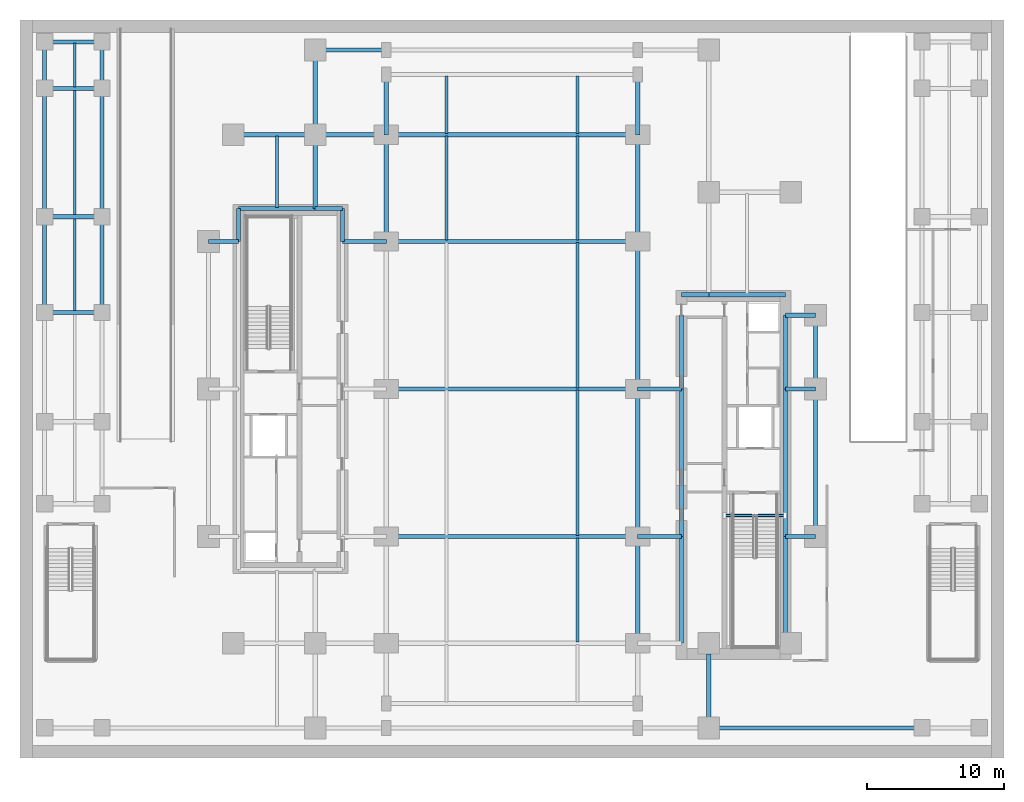
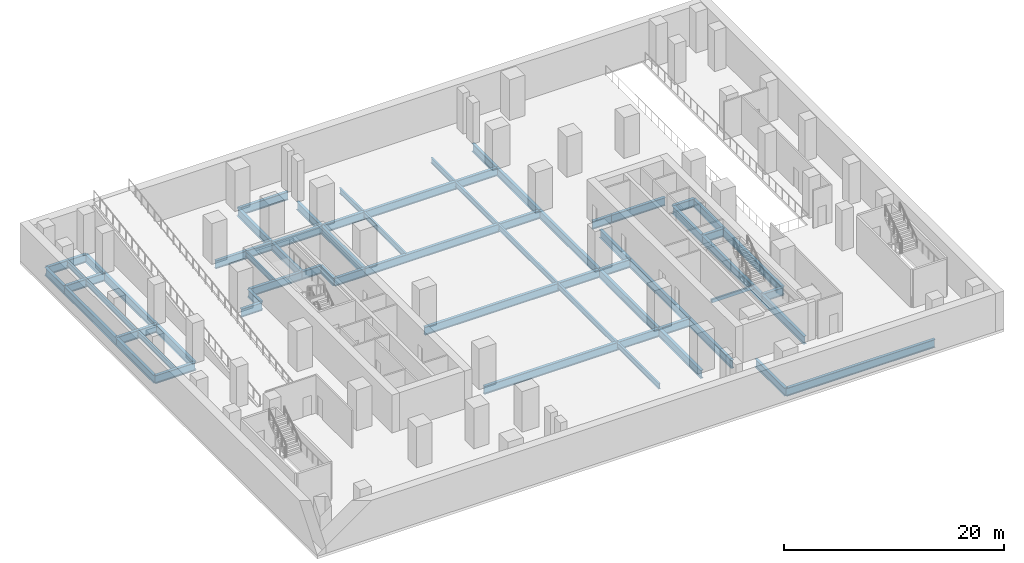
# One storey, part 2 of 14: 61 beams.
"""IFC4 building model written with IfcOpenShell, lengths in metres."""

from ifc_helpers import new_model, si_unit, direction, frame, origin, origin_2d, place, context, subcontext, project, spatial, hollow_rectangle, i_section, extrude, material, material_profile, profile_set, type_object, element, save


model = new_model("IFC4")

# Units and contexts
model_context = context("Model", 3, precision=1e-05, world=origin(), true_north=direction((0.0, 1.0)))
body_context = subcontext(model_context, "Body", "Model", "MODEL_VIEW")
ifc_project = project(units=[si_unit("LENGTHUNIT", "METRE"), si_unit("AREAUNIT", "SQUARE_METRE"), si_unit("VOLUMEUNIT", "CUBIC_METRE"), si_unit("PLANEANGLEUNIT", "RADIAN"), si_unit("MASSUNIT", "GRAM", prefix="KILO")], contexts=[model_context])

# Site, building, storey
site_placement = place(None, origin())
site = spatial("IfcSite", under=ifc_project, at=site_placement, CompositionType="ELEMENT")
building_placement = place(site_placement, origin())
building = spatial("IfcBuilding", under=site, at=building_placement, Name="Khairoan Windgate Tower", CompositionType="ELEMENT")
storey_placement = place(building_placement, frame((0.0, 0.0, -4.5)))
storey = spatial("IfcBuildingStorey", under=building, at=storey_placement, Name="B1", CompositionType="ELEMENT", Elevation=-4.5)

# Beams
ifc_material_1 = material(Name="Steel S355", Category="steel")
ifc_material_profile_1 = material_profile(ifc_material_1, i_section(OverallWidth=0.300048828125, OverallDepth=0.89990234375, WebThickness=0.01611328125, FlangeThickness=0.028076171875, FilletRadius=0.028076171875, at=origin_2d()))
ifc_profile_set_1 = profile_set([ifc_material_profile_1], Name="Steel S355")
beam_type_1 = type_object("IfcBeamType", Name="Beam B-G1 H900x300x16x28", PredefinedType="BEAM", material=ifc_profile_set_1)
beam_1_placement = place(storey_placement, frame((14.39990234375, -24.800048828125, -0.75), z_axis=(1.0, 0.0, 0.0), x_axis=(0.0, 1.0, 0.0)))
element("IfcBeam", 1, at=beam_1_placement, inside=storey, type_object=beam_type_1, Name="B1 E-W Primary Girder 06", PredefinedType="BEAM", context=body_context, shape_type="SweptSolid", body=[
    extrude(i_section(OverallWidth=0.300048828125, OverallDepth=0.89990234375, WebThickness=0.01611328125, FlangeThickness=0.028076171875, FilletRadius=0.028076171875, at=origin_2d()), origin(), (0.0, 0.0, 1.0), 15.60009765625),
])
beam_2_placement = place(storey_placement, frame((-9.199951171875, -10.800048828125, -0.75), z_axis=(1.0, 0.0, 0.0), x_axis=(0.0, 1.0, 0.0)))
element("IfcBeam", 2, at=beam_2_placement, inside=storey, type_object=beam_type_1, Name="B1 E-W Primary Girder 17", PredefinedType="BEAM", context=body_context, shape_type="SweptSolid", body=[
    extrude(i_section(OverallWidth=0.300048828125, OverallDepth=0.89990234375, WebThickness=0.01611328125, FlangeThickness=0.028076171875, FilletRadius=0.028076171875, at=origin_2d()), origin(), (0.0, 0.0, 1.0), 18.39990234375),
])
beam_3_placement = place(storey_placement, frame((9.199951171875, -10.800048828125, -0.75), z_axis=(1.0, 0.0, 0.0), x_axis=(0.0, 1.0, 0.0)))
element("IfcBeam", 3, at=beam_3_placement, inside=storey, type_object=beam_type_1, Name="B1 E-W Primary Girder 18", PredefinedType="BEAM", context=body_context, shape_type="SweptSolid", body=[
    extrude(i_section(OverallWidth=0.300048828125, OverallDepth=0.89990234375, WebThickness=0.01611328125, FlangeThickness=0.028076171875, FilletRadius=0.028076171875, at=origin_2d()), origin(), (0.0, 0.0, 1.0), 3.199951171875),
])
beam_4_placement = place(storey_placement, frame((20.0, -10.800048828125, -0.75), z_axis=(1.0, 0.0, 0.0), x_axis=(0.0, 1.0, 0.0)))
element("IfcBeam", 4, at=beam_4_placement, inside=storey, type_object=beam_type_1, Name="B1 E-W Primary Girder 19", PredefinedType="BEAM", context=body_context, shape_type="SweptSolid", body=[
    extrude(i_section(OverallWidth=0.300048828125, OverallDepth=0.89990234375, WebThickness=0.01611328125, FlangeThickness=0.028076171875, FilletRadius=0.028076171875, at=origin_2d()), origin(), (0.0, 0.0, 1.0), 2.199951171875),
])
beam_5_placement = place(storey_placement, frame((-9.199951171875, 0.0, -0.75), z_axis=(1.0, 0.0, 0.0), x_axis=(0.0, 1.0, 0.0)))
element("IfcBeam", 5, at=beam_5_placement, inside=storey, type_object=beam_type_1, Name="B1 E-W Primary Girder 26", PredefinedType="BEAM", context=body_context, shape_type="SweptSolid", body=[
    extrude(i_section(OverallWidth=0.300048828125, OverallDepth=0.89990234375, WebThickness=0.01611328125, FlangeThickness=0.028076171875, FilletRadius=0.028076171875, at=origin_2d()), origin(), (0.0, 0.0, 1.0), 18.39990234375),
])
beam_6_placement = place(storey_placement, frame((9.199951171875, 0.0, -0.75), z_axis=(1.0, 0.0, 0.0), x_axis=(0.0, 1.0, 0.0)))
element("IfcBeam", 6, at=beam_6_placement, inside=storey, type_object=beam_type_1, Name="B1 E-W Primary Girder 27", PredefinedType="BEAM", context=body_context, shape_type="SweptSolid", body=[
    extrude(i_section(OverallWidth=0.300048828125, OverallDepth=0.89990234375, WebThickness=0.01611328125, FlangeThickness=0.028076171875, FilletRadius=0.028076171875, at=origin_2d()), origin(), (0.0, 0.0, 1.0), 3.199951171875),
])
for number, where, z_axis, x_axis, name in (
    (7, (20.0, 0.0, -0.75), (1.0, 0.0, 0.0), (0.0, 1.0, 0.0), "B1 E-W Primary Girder 28"),
    (8, (20.0, 5.39990234375, -0.75), (1.0, 0.0, 0.0), (0.0, 1.0, 0.0), "B1 E-W Primary Girder 29"),
):
    element("IfcBeam", number, at=place(storey_placement, frame(where, z_axis=z_axis, x_axis=x_axis)), inside=storey, type_object=beam_type_1, Name=name, PredefinedType="BEAM", context=body_context, shape_type="SweptSolid", body=[
        extrude(i_section(OverallWidth=0.300048828125, OverallDepth=0.89990234375, WebThickness=0.01611328125, FlangeThickness=0.028076171875, FilletRadius=0.028076171875, at=origin_2d()), origin(), (0.0, 0.0, 1.0), 2.199951171875),
    ])
beam_7_placement = place(storey_placement, frame((-34.199951171875, 5.60009765625, -0.75), z_axis=(1.0, 0.0, 0.0), x_axis=(0.0, 1.0, 0.0)))
element("IfcBeam", 9, at=beam_7_placement, inside=storey, type_object=beam_type_1, Name="B1 E-W Primary Girder 30", PredefinedType="BEAM", context=body_context, shape_type="SweptSolid", body=[
    extrude(i_section(OverallWidth=0.300048828125, OverallDepth=0.89990234375, WebThickness=0.01611328125, FlangeThickness=0.028076171875, FilletRadius=0.028076171875, at=origin_2d()), origin(), (0.0, 0.0, 1.0), 4.199951171875),
])
beam_8_placement = place(storey_placement, frame((12.39990234375, 6.89990234375, -0.75), z_axis=(1.0, 0.0, 0.0), x_axis=(0.0, 1.0, 0.0)))
element("IfcBeam", 10, at=beam_8_placement, inside=storey, type_object=beam_type_1, Name="B1 E-W Primary Girder 32", PredefinedType="BEAM", context=body_context, shape_type="SweptSolid", body=[
    extrude(i_section(OverallWidth=0.300048828125, OverallDepth=0.89990234375, WebThickness=0.01611328125, FlangeThickness=0.028076171875, FilletRadius=0.028076171875, at=origin_2d()), origin(), (0.0, 0.0, 1.0), 2.0),
])
beam_9_placement = place(storey_placement, frame((14.39990234375, 6.89990234375, -0.75), z_axis=(1.0, 0.0, 0.0), x_axis=(0.0, 1.0, 0.0)))
element("IfcBeam", 11, at=beam_9_placement, inside=storey, type_object=beam_type_1, Name="B1 E-W Primary Girder 33", PredefinedType="BEAM", context=body_context, shape_type="SweptSolid", body=[
    extrude(i_section(OverallWidth=0.300048828125, OverallDepth=0.89990234375, WebThickness=0.01611328125, FlangeThickness=0.028076171875, FilletRadius=0.028076171875, at=origin_2d()), origin(), (0.0, 0.0, 1.0), 5.60009765625),
])
beam_10_placement = place(storey_placement, frame((-22.199951171875, 10.800048828125, -0.75), z_axis=(1.0, 0.0, 0.0), x_axis=(0.0, 1.0, 0.0)))
element("IfcBeam", 12, at=beam_10_placement, inside=storey, type_object=beam_type_1, Name="B1 E-W Primary Girder 34", PredefinedType="BEAM", context=body_context, shape_type="SweptSolid", body=[
    extrude(i_section(OverallWidth=0.300048828125, OverallDepth=0.89990234375, WebThickness=0.01611328125, FlangeThickness=0.028076171875, FilletRadius=0.028076171875, at=origin_2d()), origin(), (0.0, 0.0, 1.0), 2.199951171875),
])
beam_11_placement = place(storey_placement, frame((-12.39990234375, 10.800048828125, -0.75), z_axis=(1.0, 0.0, 0.0), x_axis=(0.0, 1.0, 0.0)))
element("IfcBeam", 13, at=beam_11_placement, inside=storey, type_object=beam_type_1, Name="B1 E-W Primary Girder 35", PredefinedType="BEAM", context=body_context, shape_type="SweptSolid", body=[
    extrude(i_section(OverallWidth=0.300048828125, OverallDepth=0.89990234375, WebThickness=0.01611328125, FlangeThickness=0.028076171875, FilletRadius=0.028076171875, at=origin_2d()), origin(), (0.0, 0.0, 1.0), 3.199951171875),
])
beam_12_placement = place(storey_placement, frame((-9.199951171875, 10.800048828125, -0.75), z_axis=(1.0, 0.0, 0.0), x_axis=(0.0, 1.0, 0.0)))
element("IfcBeam", 14, at=beam_12_placement, inside=storey, type_object=beam_type_1, Name="B1 E-W Primary Girder 36", PredefinedType="BEAM", context=body_context, shape_type="SweptSolid", body=[
    extrude(i_section(OverallWidth=0.300048828125, OverallDepth=0.89990234375, WebThickness=0.01611328125, FlangeThickness=0.028076171875, FilletRadius=0.028076171875, at=origin_2d()), origin(), (0.0, 0.0, 1.0), 18.39990234375),
])
beam_13_placement = place(storey_placement, frame((-34.199951171875, 12.60009765625, -0.75), z_axis=(1.0, 0.0, 0.0), x_axis=(0.0, 1.0, 0.0)))
element("IfcBeam", 15, at=beam_13_placement, inside=storey, type_object=beam_type_1, Name="B1 E-W Primary Girder 37", PredefinedType="BEAM", context=body_context, shape_type="SweptSolid", body=[
    extrude(i_section(OverallWidth=0.300048828125, OverallDepth=0.89990234375, WebThickness=0.01611328125, FlangeThickness=0.028076171875, FilletRadius=0.028076171875, at=origin_2d()), origin(), (0.0, 0.0, 1.0), 4.199951171875),
])
beam_14_placement = place(storey_placement, frame((-20.0, 13.199951171875, -0.75), z_axis=(1.0, 0.0, 0.0), x_axis=(0.0, 1.0, 0.0)))
element("IfcBeam", 16, at=beam_14_placement, inside=storey, type_object=beam_type_1, Name="B1 E-W Primary Girder 39", PredefinedType="BEAM", context=body_context, shape_type="SweptSolid", body=[
    extrude(i_section(OverallWidth=0.300048828125, OverallDepth=0.89990234375, WebThickness=0.01611328125, FlangeThickness=0.028076171875, FilletRadius=0.028076171875, at=origin_2d()), origin(), (0.0, 0.0, 1.0), 5.60009765625),
])
beam_15_placement = place(storey_placement, frame((-14.39990234375, 13.199951171875, -0.75), z_axis=(1.0, 0.0, 0.0), x_axis=(0.0, 1.0, 0.0)))
element("IfcBeam", 17, at=beam_15_placement, inside=storey, type_object=beam_type_1, Name="B1 E-W Primary Girder 40", PredefinedType="BEAM", context=body_context, shape_type="SweptSolid", body=[
    extrude(i_section(OverallWidth=0.300048828125, OverallDepth=0.89990234375, WebThickness=0.01611328125, FlangeThickness=0.028076171875, FilletRadius=0.028076171875, at=origin_2d()), origin(), (0.0, 0.0, 1.0), 2.0),
])
beam_16_placement = place(storey_placement, frame((-20.39990234375, 18.60009765625, -0.75), z_axis=(1.0, 0.0, 0.0), x_axis=(0.0, 1.0, 0.0)))
element("IfcBeam", 18, at=beam_16_placement, inside=storey, type_object=beam_type_1, Name="B1 E-W Primary Girder 42", PredefinedType="BEAM", context=body_context, shape_type="SweptSolid", body=[
    extrude(i_section(OverallWidth=0.300048828125, OverallDepth=0.89990234375, WebThickness=0.01611328125, FlangeThickness=0.028076171875, FilletRadius=0.028076171875, at=origin_2d()), origin(), (0.0, 0.0, 1.0), 6.0),
])
beam_17_placement = place(storey_placement, frame((-14.39990234375, 18.60009765625, -0.75), z_axis=(1.0, 0.0, 0.0), x_axis=(0.0, 1.0, 0.0)))
element("IfcBeam", 19, at=beam_17_placement, inside=storey, type_object=beam_type_1, Name="B1 E-W Primary Girder 43", PredefinedType="BEAM", context=body_context, shape_type="SweptSolid", body=[
    extrude(i_section(OverallWidth=0.300048828125, OverallDepth=0.89990234375, WebThickness=0.01611328125, FlangeThickness=0.028076171875, FilletRadius=0.028076171875, at=origin_2d()), origin(), (0.0, 0.0, 1.0), 5.199951171875),
])
beam_18_placement = place(storey_placement, frame((-9.199951171875, 18.60009765625, -0.75), z_axis=(1.0, 0.0, 0.0), x_axis=(0.0, 1.0, 0.0)))
element("IfcBeam", 20, at=beam_18_placement, inside=storey, type_object=beam_type_1, Name="B1 E-W Primary Girder 44", PredefinedType="BEAM", context=body_context, shape_type="SweptSolid", body=[
    extrude(i_section(OverallWidth=0.300048828125, OverallDepth=0.89990234375, WebThickness=0.01611328125, FlangeThickness=0.028076171875, FilletRadius=0.028076171875, at=origin_2d()), origin(), (0.0, 0.0, 1.0), 18.39990234375),
])
beam_19_placement = place(storey_placement, frame((-34.199951171875, 22.0, -0.75), z_axis=(1.0, 0.0, 0.0), x_axis=(0.0, 1.0, 0.0)))
element("IfcBeam", 21, at=beam_19_placement, inside=storey, type_object=beam_type_1, Name="B1 E-W Primary Girder 45", PredefinedType="BEAM", context=body_context, shape_type="SweptSolid", body=[
    extrude(i_section(OverallWidth=0.300048828125, OverallDepth=0.89990234375, WebThickness=0.01611328125, FlangeThickness=0.028076171875, FilletRadius=0.028076171875, at=origin_2d()), origin(), (0.0, 0.0, 1.0), 4.199951171875),
])
beam_20_placement = place(storey_placement, frame((-14.39990234375, 24.800048828125, -0.75), z_axis=(1.0, 0.0, 0.0), x_axis=(0.0, 1.0, 0.0)))
element("IfcBeam", 22, at=beam_20_placement, inside=storey, type_object=beam_type_1, Name="B1 E-W Primary Girder 48", PredefinedType="BEAM", context=body_context, shape_type="SweptSolid", body=[
    extrude(i_section(OverallWidth=0.300048828125, OverallDepth=0.89990234375, WebThickness=0.01611328125, FlangeThickness=0.028076171875, FilletRadius=0.028076171875, at=origin_2d()), origin(), (0.0, 0.0, 1.0), 5.199951171875),
])
beam_21_placement = place(storey_placement, frame((-34.199951171875, 25.39990234375, -0.75), z_axis=(1.0, 0.0, 0.0), x_axis=(0.0, 1.0, 0.0)))
element("IfcBeam", 23, at=beam_21_placement, inside=storey, type_object=beam_type_1, Name="B1 E-W Primary Girder 51", PredefinedType="BEAM", context=body_context, shape_type="SweptSolid", body=[
    extrude(i_section(OverallWidth=0.300048828125, OverallDepth=0.89990234375, WebThickness=0.01611328125, FlangeThickness=0.028076171875, FilletRadius=0.028076171875, at=origin_2d()), origin(), (0.0, 0.0, 1.0), 4.199951171875),
])
beam_22_placement = place(storey_placement, frame((-34.199951171875, 5.60009765625, -0.75), z_axis=(0.0, 1.0, 0.0), x_axis=(-1.0, 0.0, 0.0)))
element("IfcBeam", 24, at=beam_22_placement, inside=storey, type_object=beam_type_1, Name="B1 N-S Primary Beam 55", PredefinedType="BEAM", context=body_context, shape_type="SweptSolid", body=[
    extrude(i_section(OverallWidth=0.300048828125, OverallDepth=0.89990234375, WebThickness=0.01611328125, FlangeThickness=0.028076171875, FilletRadius=0.028076171875, at=origin_2d()), origin(), (0.0, 0.0, 1.0), 7.0),
])
beam_23_placement = place(storey_placement, frame((-34.199951171875, 12.60009765625, -0.75), z_axis=(0.0, 1.0, 0.0), x_axis=(-1.0, 0.0, 0.0)))
element("IfcBeam", 25, at=beam_23_placement, inside=storey, type_object=beam_type_1, Name="B1 N-S Primary Beam 56", PredefinedType="BEAM", context=body_context, shape_type="SweptSolid", body=[
    extrude(i_section(OverallWidth=0.300048828125, OverallDepth=0.89990234375, WebThickness=0.01611328125, FlangeThickness=0.028076171875, FilletRadius=0.028076171875, at=origin_2d()), origin(), (0.0, 0.0, 1.0), 9.39990234375),
])
beam_24_placement = place(storey_placement, frame((-34.199951171875, 22.0, -0.75), z_axis=(0.0, 1.0, 0.0), x_axis=(-1.0, 0.0, 0.0)))
element("IfcBeam", 26, at=beam_24_placement, inside=storey, type_object=beam_type_1, Name="B1 N-S Primary Beam 57", PredefinedType="BEAM", context=body_context, shape_type="SweptSolid", body=[
    extrude(i_section(OverallWidth=0.300048828125, OverallDepth=0.89990234375, WebThickness=0.01611328125, FlangeThickness=0.028076171875, FilletRadius=0.028076171875, at=origin_2d()), origin(), (0.0, 0.0, 1.0), 3.39990234375),
])
beam_25_placement = place(storey_placement, frame((-30.0, 5.60009765625, -0.75), z_axis=(0.0, 1.0, 0.0), x_axis=(-1.0, 0.0, 0.0)))
element("IfcBeam", 27, at=beam_25_placement, inside=storey, type_object=beam_type_1, Name="B1 N-S Primary Beam 60", PredefinedType="BEAM", context=body_context, shape_type="SweptSolid", body=[
    extrude(i_section(OverallWidth=0.300048828125, OverallDepth=0.89990234375, WebThickness=0.01611328125, FlangeThickness=0.028076171875, FilletRadius=0.028076171875, at=origin_2d()), origin(), (0.0, 0.0, 1.0), 7.0),
])
beam_26_placement = place(storey_placement, frame((-30.0, 12.60009765625, -0.75), z_axis=(0.0, 1.0, 0.0), x_axis=(-1.0, 0.0, 0.0)))
element("IfcBeam", 28, at=beam_26_placement, inside=storey, type_object=beam_type_1, Name="B1 N-S Primary Beam 61", PredefinedType="BEAM", context=body_context, shape_type="SweptSolid", body=[
    extrude(i_section(OverallWidth=0.300048828125, OverallDepth=0.89990234375, WebThickness=0.01611328125, FlangeThickness=0.028076171875, FilletRadius=0.028076171875, at=origin_2d()), origin(), (0.0, 0.0, 1.0), 9.39990234375),
])
beam_27_placement = place(storey_placement, frame((-30.0, 22.0, -0.75), z_axis=(0.0, 1.0, 0.0), x_axis=(-1.0, 0.0, 0.0)))
element("IfcBeam", 29, at=beam_27_placement, inside=storey, type_object=beam_type_1, Name="B1 N-S Primary Beam 62", PredefinedType="BEAM", context=body_context, shape_type="SweptSolid", body=[
    extrude(i_section(OverallWidth=0.300048828125, OverallDepth=0.89990234375, WebThickness=0.01611328125, FlangeThickness=0.028076171875, FilletRadius=0.028076171875, at=origin_2d()), origin(), (0.0, 0.0, 1.0), 3.39990234375),
])
beam_28_placement = place(storey_placement, frame((-20.0, 10.800048828125, -0.75), z_axis=(0.0, 1.0, 0.0), x_axis=(-1.0, 0.0, 0.0)))
element("IfcBeam", 30, at=beam_28_placement, inside=storey, type_object=beam_type_1, Name="B1 N-S Primary Beam 68", PredefinedType="BEAM", context=body_context, shape_type="SweptSolid", body=[
    extrude(i_section(OverallWidth=0.300048828125, OverallDepth=0.89990234375, WebThickness=0.01611328125, FlangeThickness=0.028076171875, FilletRadius=0.028076171875, at=origin_2d()), origin(), (0.0, 0.0, 1.0), 2.39990234375),
])
beam_29_placement = place(storey_placement, frame((-14.39990234375, 13.199951171875, -0.75), z_axis=(0.0, 1.0, 0.0), x_axis=(-1.0, 0.0, 0.0)))
element("IfcBeam", 31, at=beam_29_placement, inside=storey, type_object=beam_type_1, Name="B1 N-S Primary Beam 71", PredefinedType="BEAM", context=body_context, shape_type="SweptSolid", body=[
    extrude(i_section(OverallWidth=0.300048828125, OverallDepth=0.89990234375, WebThickness=0.01611328125, FlangeThickness=0.028076171875, FilletRadius=0.028076171875, at=origin_2d()), origin(), (0.0, 0.0, 1.0), 5.400146484375),
])
beam_30_placement = place(storey_placement, frame((-14.39990234375, 18.60009765625, -0.75), z_axis=(0.0, 1.0, 0.0), x_axis=(-1.0, 0.0, 0.0)))
element("IfcBeam", 32, at=beam_30_placement, inside=storey, type_object=beam_type_1, Name="B1 N-S Primary Beam 72", PredefinedType="BEAM", context=body_context, shape_type="SweptSolid", body=[
    extrude(i_section(OverallWidth=0.300048828125, OverallDepth=0.89990234375, WebThickness=0.01611328125, FlangeThickness=0.028076171875, FilletRadius=0.028076171875, at=origin_2d()), origin(), (0.0, 0.0, 1.0), 6.199951171875),
])
beam_31_placement = place(storey_placement, frame((-12.39990234375, 10.800048828125, -0.75), z_axis=(0.0, 1.0, 0.0), x_axis=(-1.0, 0.0, 0.0)))
element("IfcBeam", 33, at=beam_31_placement, inside=storey, type_object=beam_type_1, Name="B1 N-S Primary Beam 76", PredefinedType="BEAM", context=body_context, shape_type="SweptSolid", body=[
    extrude(i_section(OverallWidth=0.300048828125, OverallDepth=0.89990234375, WebThickness=0.01611328125, FlangeThickness=0.028076171875, FilletRadius=0.028076171875, at=origin_2d()), origin(), (0.0, 0.0, 1.0), 2.39990234375),
])
beam_32_placement = place(storey_placement, frame((-9.199951171875, 10.800048828125, -0.75), z_axis=(0.0, 1.0, 0.0), x_axis=(-1.0, 0.0, 0.0)))
element("IfcBeam", 34, at=beam_32_placement, inside=storey, type_object=beam_type_1, Name="B1 N-S Primary Beam 81", PredefinedType="BEAM", context=body_context, shape_type="SweptSolid", body=[
    extrude(i_section(OverallWidth=0.300048828125, OverallDepth=0.89990234375, WebThickness=0.01611328125, FlangeThickness=0.028076171875, FilletRadius=0.028076171875, at=origin_2d()), origin(), (0.0, 0.0, 1.0), 7.800048828125),
])
beam_33_placement = place(storey_placement, frame((-9.199951171875, 18.60009765625, -0.75), z_axis=(0.0, 1.0, 0.0), x_axis=(-1.0, 0.0, 0.0)))
element("IfcBeam", 35, at=beam_33_placement, inside=storey, type_object=beam_type_1, Name="B1 N-S Primary Beam 82", PredefinedType="BEAM", context=body_context, shape_type="SweptSolid", body=[
    extrude(i_section(OverallWidth=0.300048828125, OverallDepth=0.89990234375, WebThickness=0.01611328125, FlangeThickness=0.028076171875, FilletRadius=0.028076171875, at=origin_2d()), origin(), (0.0, 0.0, 1.0), 4.39990234375),
])
beam_34_placement = place(storey_placement, frame((9.199951171875, -18.60009765625, -0.75), z_axis=(0.0, 1.0, 0.0), x_axis=(-1.0, 0.0, 0.0)))
element("IfcBeam", 36, at=beam_34_placement, inside=storey, type_object=beam_type_1, Name="B1 N-S Primary Beam 84", PredefinedType="BEAM", context=body_context, shape_type="SweptSolid", body=[
    extrude(i_section(OverallWidth=0.300048828125, OverallDepth=0.89990234375, WebThickness=0.01611328125, FlangeThickness=0.028076171875, FilletRadius=0.028076171875, at=origin_2d()), origin(), (0.0, 0.0, 1.0), 7.800048828125),
])
for number, where, z_axis, x_axis, name in (
    (37, (9.199951171875, -10.800048828125, -0.75), (0.0, 1.0, 0.0), (-1.0, 0.0, 0.0), "B1 N-S Primary Beam 85"),
    (38, (9.199951171875, 0.0, -0.75), (0.0, 1.0, 0.0), (-1.0, 0.0, 0.0), "B1 N-S Primary Beam 86"),
):
    element("IfcBeam", number, at=place(storey_placement, frame(where, z_axis=z_axis, x_axis=x_axis)), inside=storey, type_object=beam_type_1, Name=name, PredefinedType="BEAM", context=body_context, shape_type="SweptSolid", body=[
        extrude(i_section(OverallWidth=0.300048828125, OverallDepth=0.89990234375, WebThickness=0.01611328125, FlangeThickness=0.028076171875, FilletRadius=0.028076171875, at=origin_2d()), origin(), (0.0, 0.0, 1.0), 10.800048828125),
    ])
beam_35_placement = place(storey_placement, frame((9.199951171875, 10.800048828125, -0.75), z_axis=(0.0, 1.0, 0.0), x_axis=(-1.0, 0.0, 0.0)))
element("IfcBeam", 39, at=beam_35_placement, inside=storey, type_object=beam_type_1, Name="B1 N-S Primary Beam 87", PredefinedType="BEAM", context=body_context, shape_type="SweptSolid", body=[
    extrude(i_section(OverallWidth=0.300048828125, OverallDepth=0.89990234375, WebThickness=0.01611328125, FlangeThickness=0.028076171875, FilletRadius=0.028076171875, at=origin_2d()), origin(), (0.0, 0.0, 1.0), 7.800048828125),
])
beam_36_placement = place(storey_placement, frame((9.199951171875, 18.60009765625, -0.75), z_axis=(0.0, 1.0, 0.0), x_axis=(-1.0, 0.0, 0.0)))
element("IfcBeam", 40, at=beam_36_placement, inside=storey, type_object=beam_type_1, Name="B1 N-S Primary Beam 88", PredefinedType="BEAM", context=body_context, shape_type="SweptSolid", body=[
    extrude(i_section(OverallWidth=0.300048828125, OverallDepth=0.89990234375, WebThickness=0.01611328125, FlangeThickness=0.028076171875, FilletRadius=0.028076171875, at=origin_2d()), origin(), (0.0, 0.0, 1.0), 4.39990234375),
])
beam_37_placement = place(storey_placement, frame((12.39990234375, -18.60009765625, -0.75), z_axis=(0.0, 1.0, 0.0), x_axis=(-1.0, 0.0, 0.0)))
element("IfcBeam", 41, at=beam_37_placement, inside=storey, type_object=beam_type_1, Name="B1 N-S Primary Beam 89", PredefinedType="BEAM", context=body_context, shape_type="SweptSolid", body=[
    extrude(i_section(OverallWidth=0.300048828125, OverallDepth=0.89990234375, WebThickness=0.01611328125, FlangeThickness=0.028076171875, FilletRadius=0.028076171875, at=origin_2d()), origin(), (0.0, 0.0, 1.0), 7.800048828125),
])
beam_38_placement = place(storey_placement, frame((12.39990234375, -10.800048828125, -0.75), z_axis=(0.0, 1.0, 0.0), x_axis=(-1.0, 0.0, 0.0)))
element("IfcBeam", 42, at=beam_38_placement, inside=storey, type_object=beam_type_1, Name="B1 N-S Primary Beam 90", PredefinedType="BEAM", context=body_context, shape_type="SweptSolid", body=[
    extrude(i_section(OverallWidth=0.300048828125, OverallDepth=0.89990234375, WebThickness=0.01611328125, FlangeThickness=0.028076171875, FilletRadius=0.028076171875, at=origin_2d()), origin(), (0.0, 0.0, 1.0), 10.800048828125),
])
beam_39_placement = place(storey_placement, frame((12.39990234375, 0.0, -0.75), z_axis=(0.0, 1.0, 0.0), x_axis=(-1.0, 0.0, 0.0)))
element("IfcBeam", 43, at=beam_39_placement, inside=storey, type_object=beam_type_1, Name="B1 N-S Primary Beam 91", PredefinedType="BEAM", context=body_context, shape_type="SweptSolid", body=[
    extrude(i_section(OverallWidth=0.300048828125, OverallDepth=0.89990234375, WebThickness=0.01611328125, FlangeThickness=0.028076171875, FilletRadius=0.028076171875, at=origin_2d()), origin(), (0.0, 0.0, 1.0), 5.39990234375),
])
beam_40_placement = place(storey_placement, frame((14.39990234375, -24.800048828125, -0.75), z_axis=(0.0, 1.0, 0.0), x_axis=(-1.0, 0.0, 0.0)))
element("IfcBeam", 44, at=beam_40_placement, inside=storey, type_object=beam_type_1, Name="B1 N-S Primary Beam 92", PredefinedType="BEAM", context=body_context, shape_type="SweptSolid", body=[
    extrude(i_section(OverallWidth=0.300048828125, OverallDepth=0.89990234375, WebThickness=0.01611328125, FlangeThickness=0.028076171875, FilletRadius=0.028076171875, at=origin_2d()), origin(), (0.0, 0.0, 1.0), 5.400146484375),
])
beam_41_placement = place(storey_placement, frame((20.0, -18.60009765625, -0.75), z_axis=(0.0, 1.0, 0.0), x_axis=(-1.0, 0.0, 0.0)))
element("IfcBeam", 45, at=beam_41_placement, inside=storey, type_object=beam_type_1, Name="B1 N-S Primary Beam 95", PredefinedType="BEAM", context=body_context, shape_type="SweptSolid", body=[
    extrude(i_section(OverallWidth=0.300048828125, OverallDepth=0.89990234375, WebThickness=0.01611328125, FlangeThickness=0.028076171875, FilletRadius=0.028076171875, at=origin_2d()), origin(), (0.0, 0.0, 1.0), 7.800048828125),
])
beam_42_placement = place(storey_placement, frame((20.0, -10.800048828125, -0.75), z_axis=(0.0, 1.0, 0.0), x_axis=(-1.0, 0.0, 0.0)))
element("IfcBeam", 46, at=beam_42_placement, inside=storey, type_object=beam_type_1, Name="B1 N-S Primary Beam 96", PredefinedType="BEAM", context=body_context, shape_type="SweptSolid", body=[
    extrude(i_section(OverallWidth=0.300048828125, OverallDepth=0.89990234375, WebThickness=0.01611328125, FlangeThickness=0.028076171875, FilletRadius=0.028076171875, at=origin_2d()), origin(), (0.0, 0.0, 1.0), 10.800048828125),
])
beam_43_placement = place(storey_placement, frame((20.0, 0.0, -0.75), z_axis=(0.0, 1.0, 0.0), x_axis=(-1.0, 0.0, 0.0)))
element("IfcBeam", 47, at=beam_43_placement, inside=storey, type_object=beam_type_1, Name="B1 N-S Primary Beam 97", PredefinedType="BEAM", context=body_context, shape_type="SweptSolid", body=[
    extrude(i_section(OverallWidth=0.300048828125, OverallDepth=0.89990234375, WebThickness=0.01611328125, FlangeThickness=0.028076171875, FilletRadius=0.028076171875, at=origin_2d()), origin(), (0.0, 0.0, 1.0), 5.39990234375),
])
beam_44_placement = place(storey_placement, frame((22.199951171875, -10.800048828125, -0.75), z_axis=(0.0, 1.0, 0.0), x_axis=(-1.0, 0.0, 0.0)))
element("IfcBeam", 48, at=beam_44_placement, inside=storey, type_object=beam_type_1, Name="B1 N-S Primary Beam 98", PredefinedType="BEAM", context=body_context, shape_type="SweptSolid", body=[
    extrude(i_section(OverallWidth=0.300048828125, OverallDepth=0.89990234375, WebThickness=0.01611328125, FlangeThickness=0.028076171875, FilletRadius=0.028076171875, at=origin_2d()), origin(), (0.0, 0.0, 1.0), 10.800048828125),
])
beam_45_placement = place(storey_placement, frame((22.199951171875, 0.0, -0.75), z_axis=(0.0, 1.0, 0.0), x_axis=(-1.0, 0.0, 0.0)))
element("IfcBeam", 49, at=beam_45_placement, inside=storey, type_object=beam_type_1, Name="B1 N-S Primary Beam 99", PredefinedType="BEAM", context=body_context, shape_type="SweptSolid", body=[
    extrude(i_section(OverallWidth=0.300048828125, OverallDepth=0.89990234375, WebThickness=0.01611328125, FlangeThickness=0.028076171875, FilletRadius=0.028076171875, at=origin_2d()), origin(), (0.0, 0.0, 1.0), 5.39990234375),
])
ifc_material_2 = material(Name="Steel S355", Category="steel")
ifc_material_profile_2 = material_profile(ifc_material_2, i_section(OverallWidth=0.199951171875, OverallDepth=0.60009765625, WebThickness=0.010986328125, FlangeThickness=0.01708984375, FilletRadius=0.02197265625, at=origin_2d()))
ifc_profile_set_2 = profile_set([ifc_material_profile_2], Name="Steel S355")
beam_type_2 = type_object("IfcBeamType", Name="Beam J-S1 H600x200x11x17", PredefinedType="JOIST", material=ifc_profile_set_2)
beam_46_placement = place(storey_placement, frame((-32.0, 5.68994140625, -0.60009765625), z_axis=(0.0, 1.0, 0.0), x_axis=(-1.0, 0.0, 0.0)))
element("IfcBeam", 50, at=beam_46_placement, inside=storey, type_object=beam_type_2, Name="B1 Secondary Floor Joist 03", PredefinedType="JOIST", context=body_context, shape_type="SweptSolid", body=[
    extrude(i_section(OverallWidth=0.199951171875, OverallDepth=0.60009765625, WebThickness=0.010986328125, FlangeThickness=0.01708984375, FilletRadius=0.02197265625, at=origin_2d()), origin(), (0.0, 0.0, 1.0), 6.820068359375),
])
beam_47_placement = place(storey_placement, frame((-32.0, 12.68994140625, -0.60009765625), z_axis=(0.0, 1.0, 0.0), x_axis=(-1.0, 0.0, 0.0)))
element("IfcBeam", 51, at=beam_47_placement, inside=storey, type_object=beam_type_2, Name="B1 Secondary Floor Joist 04", PredefinedType="JOIST", context=body_context, shape_type="SweptSolid", body=[
    extrude(i_section(OverallWidth=0.199951171875, OverallDepth=0.60009765625, WebThickness=0.010986328125, FlangeThickness=0.01708984375, FilletRadius=0.02197265625, at=origin_2d()), origin(), (0.0, 0.0, 1.0), 9.219970703125),
])
beam_48_placement = place(storey_placement, frame((-32.0, 22.090087890625, -0.60009765625), z_axis=(0.0, 1.0, 0.0), x_axis=(-1.0, 0.0, 0.0)))
element("IfcBeam", 52, at=beam_48_placement, inside=storey, type_object=beam_type_2, Name="B1 Secondary Floor Joist 05", PredefinedType="JOIST", context=body_context, shape_type="SweptSolid", body=[
    extrude(i_section(OverallWidth=0.199951171875, OverallDepth=0.60009765625, WebThickness=0.010986328125, FlangeThickness=0.01708984375, FilletRadius=0.02197265625, at=origin_2d()), origin(), (0.0, 0.0, 1.0), 3.219970703125),
])
beam_49_placement = place(storey_placement, frame((-17.199951171875, 13.2900390625, -0.60009765625), z_axis=(0.0, 1.0, 0.0), x_axis=(-1.0, 0.0, 0.0)))
element("IfcBeam", 53, at=beam_49_placement, inside=storey, type_object=beam_type_2, Name="B1 Secondary Floor Joist 08", PredefinedType="JOIST", context=body_context, shape_type="SweptSolid", body=[
    extrude(i_section(OverallWidth=0.199951171875, OverallDepth=0.60009765625, WebThickness=0.010986328125, FlangeThickness=0.01708984375, FilletRadius=0.02197265625, at=origin_2d()), origin(), (0.0, 0.0, 1.0), 5.219970703125),
])
beam_50_placement = place(storey_placement, frame((-4.800048828125, 10.889892578125, -0.60009765625), z_axis=(0.0, 1.0, 0.0), x_axis=(-1.0, 0.0, 0.0)))
element("IfcBeam", 54, at=beam_50_placement, inside=storey, type_object=beam_type_2, Name="B1 Secondary Floor Joist 13", PredefinedType="JOIST", context=body_context, shape_type="SweptSolid", body=[
    extrude(i_section(OverallWidth=0.199951171875, OverallDepth=0.60009765625, WebThickness=0.010986328125, FlangeThickness=0.01708984375, FilletRadius=0.02197265625, at=origin_2d()), origin(), (0.0, 0.0, 1.0), 7.6201171875),
])
beam_51_placement = place(storey_placement, frame((-4.800048828125, 18.68994140625, -0.60009765625), z_axis=(0.0, 1.0, 0.0), x_axis=(-1.0, 0.0, 0.0)))
element("IfcBeam", 55, at=beam_51_placement, inside=storey, type_object=beam_type_2, Name="B1 Secondary Floor Joist 14", PredefinedType="JOIST", context=body_context, shape_type="SweptSolid", body=[
    extrude(i_section(OverallWidth=0.199951171875, OverallDepth=0.60009765625, WebThickness=0.010986328125, FlangeThickness=0.01708984375, FilletRadius=0.02197265625, at=origin_2d()), origin(), (0.0, 0.0, 1.0), 4.219970703125),
])
beam_52_placement = place(storey_placement, frame((4.800048828125, -18.510009765625, -0.60009765625), z_axis=(0.0, 1.0, 0.0), x_axis=(-1.0, 0.0, 0.0)))
element("IfcBeam", 56, at=beam_52_placement, inside=storey, type_object=beam_type_2, Name="B1 Secondary Floor Joist 16", PredefinedType="JOIST", context=body_context, shape_type="SweptSolid", body=[
    extrude(i_section(OverallWidth=0.199951171875, OverallDepth=0.60009765625, WebThickness=0.010986328125, FlangeThickness=0.01708984375, FilletRadius=0.02197265625, at=origin_2d()), origin(), (0.0, 0.0, 1.0), 7.6201171875),
])
for number, where, z_axis, x_axis, name in (
    (57, (4.800048828125, -10.7099609375, -0.60009765625), (0.0, 1.0, 0.0), (-1.0, 0.0, 0.0), "B1 Secondary Floor Joist 17"),
    (58, (4.800048828125, 0.090087890625, -0.60009765625), (0.0, 1.0, 0.0), (-1.0, 0.0, 0.0), "B1 Secondary Floor Joist 18"),
):
    element("IfcBeam", number, at=place(storey_placement, frame(where, z_axis=z_axis, x_axis=x_axis)), inside=storey, type_object=beam_type_2, Name=name, PredefinedType="JOIST", context=body_context, shape_type="SweptSolid", body=[
        extrude(i_section(OverallWidth=0.199951171875, OverallDepth=0.60009765625, WebThickness=0.010986328125, FlangeThickness=0.01708984375, FilletRadius=0.02197265625, at=origin_2d()), origin(), (0.0, 0.0, 1.0), 10.619873046875),
    ])
beam_53_placement = place(storey_placement, frame((4.800048828125, 10.889892578125, -0.60009765625), z_axis=(0.0, 1.0, 0.0), x_axis=(-1.0, 0.0, 0.0)))
element("IfcBeam", 59, at=beam_53_placement, inside=storey, type_object=beam_type_2, Name="B1 Secondary Floor Joist 19", PredefinedType="JOIST", context=body_context, shape_type="SweptSolid", body=[
    extrude(i_section(OverallWidth=0.199951171875, OverallDepth=0.60009765625, WebThickness=0.010986328125, FlangeThickness=0.01708984375, FilletRadius=0.02197265625, at=origin_2d()), origin(), (0.0, 0.0, 1.0), 7.6201171875),
])
beam_54_placement = place(storey_placement, frame((4.800048828125, 18.68994140625, -0.60009765625), z_axis=(0.0, 1.0, 0.0), x_axis=(-1.0, 0.0, 0.0)))
element("IfcBeam", 60, at=beam_54_placement, inside=storey, type_object=beam_type_2, Name="B1 Secondary Floor Joist 20", PredefinedType="JOIST", context=body_context, shape_type="SweptSolid", body=[
    extrude(i_section(OverallWidth=0.199951171875, OverallDepth=0.60009765625, WebThickness=0.010986328125, FlangeThickness=0.01708984375, FilletRadius=0.02197265625, at=origin_2d()), origin(), (0.0, 0.0, 1.0), 4.219970703125),
])
ifc_material_3 = material(Name="Steel S355", Category="steel")
ifc_material_profile_3 = material_profile(ifc_material_3, hollow_rectangle(XDim=0.199951171875, YDim=0.39990234375, WallThickness=0.013916015625, InnerFilletRadius=0.013916015625, OuterFilletRadius=0.028076171875, at=origin_2d()))
ifc_profile_set_3 = profile_set([ifc_material_profile_3], Name="Steel S355")
beam_type_3 = type_object("IfcBeamType", Name="Beam SP-B1 RHS400x200x14", PredefinedType="SPANDREL", material=ifc_profile_set_3)
beam_55_placement = place(storey_placement, frame((15.550048828125, -9.260009765625, -0.5), z_axis=(1.0, 0.0, 0.0), x_axis=(0.0, 1.0, 0.0)))
element("IfcBeam", 61, at=beam_55_placement, inside=storey, type_object=beam_type_3, Name="Stair ST1 Landing Trimmer Beam B1", PredefinedType="SPANDREL", context=body_context, shape_type="SweptSolid", body=[
    extrude(hollow_rectangle(XDim=0.199951171875, YDim=0.39990234375, WallThickness=0.013916015625, InnerFilletRadius=0.013916015625, OuterFilletRadius=0.028076171875, at=origin_2d()), origin(), (0.0, 0.0, 1.0), 4.449951171875),
])

save(model, "model.ifc")
